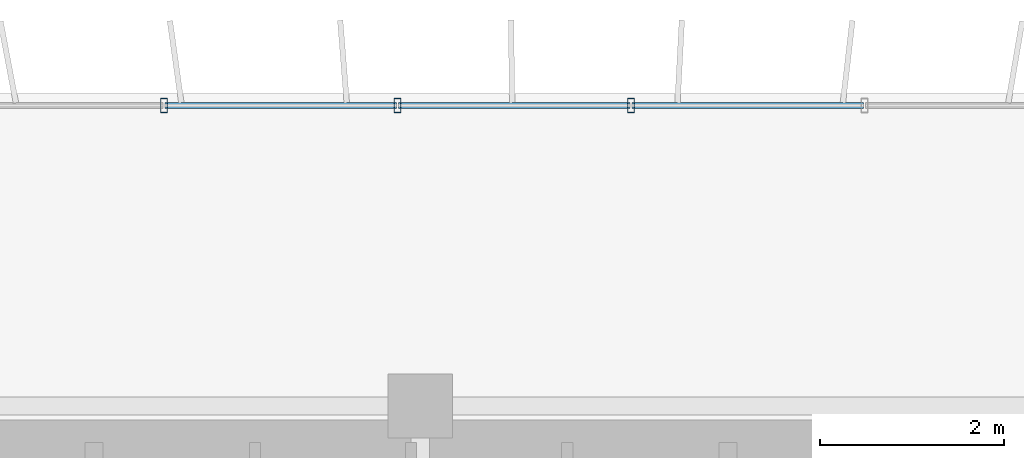
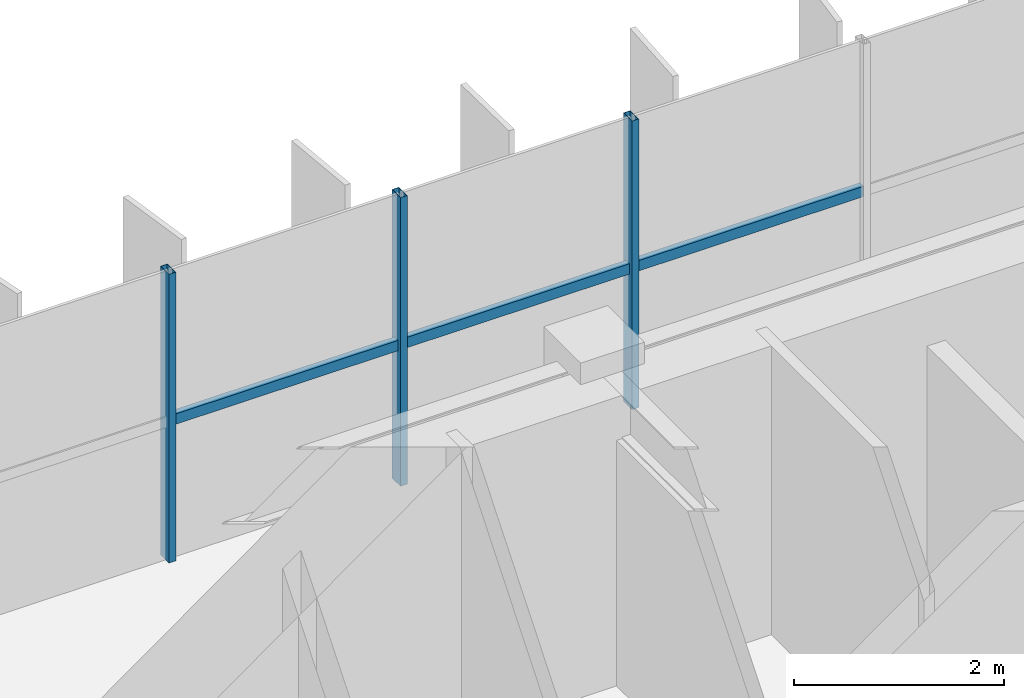
# One storey, part 9 of 21: 6 members, 1 element without a shape of its own.
"""IFC4 building model written with IfcOpenShell, lengths in metres."""

from ifc_helpers import new_model, si_unit, direction, frame, origin, origin_2d, place, context, subcontext, project, spatial, hollow_rectangle, extrude, source, transform, mapped, material, material_profile, profile_set, type_object, element, aggregate, save


model = new_model("IFC4")

# Units and contexts
model_context = context("Model", 3, precision=1e-05, world=origin(), true_north=direction((0.0, 1.0)))
body_context = subcontext(model_context, "Body", "Model", "MODEL_VIEW")
ifc_project = project(units=[si_unit("LENGTHUNIT", "METRE"), si_unit("AREAUNIT", "SQUARE_METRE"), si_unit("VOLUMEUNIT", "CUBIC_METRE"), si_unit("PLANEANGLEUNIT", "RADIAN"), si_unit("MASSUNIT", "GRAM", prefix="KILO")], contexts=[model_context])

# Site, building, storey
site_placement = place(None, origin())
site = spatial("IfcSite", under=ifc_project, at=site_placement, CompositionType="ELEMENT")
building_placement = place(site_placement, origin())
building = spatial("IfcBuilding", under=site, at=building_placement, Name="Trelvane Seafront Commons", CompositionType="ELEMENT")
storey_placement = place(building_placement, frame((0.0, 0.0, 160.89990234375)))
storey = spatial("IfcBuildingStorey", under=building, at=storey_placement, Name="L42", CompositionType="ELEMENT", Elevation=160.89990234375)

# Curtain wall, members
ifc_material = material(Name="Anodised pale-silver aluminium", Category="aluminium")
curtain_wall_type = type_object("IfcCurtainWallType", Name="ARCH-CW5-UPTOWER", PredefinedType="NOTDEFINED", material=ifc_material)
curtain_wall_placement = place(storey_placement, origin())
curtain_wall = element("IfcCurtainWall", 1, at=curtain_wall_placement, inside=storey, type_object=curtain_wall_type, Name="CW-L42-0069", PredefinedType="NOTDEFINED")
ifc_material_profile_1 = material_profile(ifc_material, hollow_rectangle(XDim=0.070068359375, YDim=0.1201171875, WallThickness=0.00390625, at=origin_2d()), Name="TRAN-70x120x4")
ifc_profile_set_1 = profile_set([ifc_material_profile_1], Name="Anodised pale-silver aluminium")
member_type_1 = type_object("IfcMemberType", Name="ARCH-CW-TRAN-120", PredefinedType="USERDEFINED", material=ifc_profile_set_1)
shared_shape_1 = source(origin(), body_context, "Body", "SweptSolid", [
    extrude(hollow_rectangle(XDim=0.070068359375, YDim=0.1201171875, WallThickness=0.00390625, at=origin_2d()), origin(), (0.0, 0.0, 1.0), 2.51708984375),
])
member_1_placement = place(storey_placement, frame((43.56494140625, 48.3701171875, 1.608154296875), z_axis=(1.0, 0.0, 0.0), x_axis=(0.0, 1.0, 0.0)))
member_1 = element("IfcMember", 2, at=member_1_placement, type_object=member_type_1, Name="CW-L42-0069-T11", ObjectType="TRANSOM", PredefinedType="USERDEFINED", context=body_context, shape_type="MappedRepresentation", body=[
    mapped(shared_shape_1, transform((0.0, 0.0, 0.0), x_axis=(1.0, 0.0, 0.0), y_axis=(0.0, 1.0, 0.0), z_axis=(0.0, 0.0, 1.0), scale=1.0)),
])
member_2_placement = place(storey_placement, frame((46.106201171875, 48.3701171875, 1.608154296875), z_axis=(1.0, 0.0, 0.0), x_axis=(0.0, 1.0, 0.0)))
member_2 = element("IfcMember", 3, at=member_2_placement, type_object=member_type_1, Name="CW-L42-0069-T12", ObjectType="TRANSOM", PredefinedType="USERDEFINED", context=body_context, shape_type="MappedRepresentation", body=[
    mapped(shared_shape_1, transform((0.0, 0.0, 0.0), x_axis=(1.0, 0.0, 0.0), y_axis=(0.0, 1.0, 0.0), z_axis=(0.0, 0.0, 1.0), scale=1.0)),
])
shared_shape_2 = source(origin(), body_context, "Body", "SweptSolid", [
    extrude(hollow_rectangle(XDim=0.070068359375, YDim=0.1201171875, WallThickness=0.00390625, at=origin_2d()), origin(), (0.0, 0.0, 1.0), 2.517333984375),
])
member_3_placement = place(storey_placement, frame((41.023681640625, 48.3701171875, 1.608154296875), z_axis=(1.0, 0.0, 0.0), x_axis=(0.0, 1.0, 0.0)))
member_3 = element("IfcMember", 4, at=member_3_placement, type_object=member_type_1, Name="CW-L42-0069-T10", ObjectType="TRANSOM", PredefinedType="USERDEFINED", context=body_context, shape_type="MappedRepresentation", body=[
    mapped(shared_shape_2, transform((0.0, 0.0, 0.0), x_axis=(1.0, 0.0, 0.0), y_axis=(0.0, 1.0, 0.0), z_axis=(0.0, 0.0, 1.0), scale=1.0)),
])
ifc_material_profile_2 = material_profile(ifc_material, hollow_rectangle(XDim=0.074951171875, YDim=0.159912109375, WallThickness=0.00390625, at=origin_2d()), Name="MULL-75x160x4")
ifc_profile_set_2 = profile_set([ifc_material_profile_2], Name="Anodised pale-silver aluminium")
member_type_2 = type_object("IfcMemberType", Name="ARCH-CW-MULL-160", PredefinedType="MULLION", material=ifc_profile_set_2)
shared_shape_3 = source(origin(), body_context, "Body", "SweptSolid", [
    extrude(hollow_rectangle(XDim=0.074951171875, YDim=0.159912109375, WallThickness=0.00390625, at=origin_2d()), origin(), (0.0, 0.0, 1.0), 3.35009765625),
])
member_4_placement = place(storey_placement, frame((41.01171875, 48.3701171875, 0.0), z_axis=(0.0, 0.0, 1.0), x_axis=(1.0, 0.0, 0.0)))
member_4 = element("IfcMember", 5, at=member_4_placement, type_object=member_type_2, Name="CW-L42-0069-M10", PredefinedType="MULLION", context=body_context, shape_type="MappedRepresentation", body=[
    mapped(shared_shape_3, transform((0.0, 0.0, 0.0), x_axis=(1.0, 0.0, 0.0), y_axis=(0.0, 1.0, 0.0), z_axis=(0.0, 0.0, 1.0), scale=1.0)),
])
member_5_placement = place(storey_placement, frame((43.552978515625, 48.3701171875, 0.0), z_axis=(0.0, 0.0, 1.0), x_axis=(1.0, 0.0, 0.0)))
member_5 = element("IfcMember", 6, at=member_5_placement, type_object=member_type_2, Name="CW-L42-0069-M11", PredefinedType="MULLION", context=body_context, shape_type="MappedRepresentation", body=[
    mapped(shared_shape_3, transform((0.0, 0.0, 0.0), x_axis=(1.0, 0.0, 0.0), y_axis=(0.0, 1.0, 0.0), z_axis=(0.0, 0.0, 1.0), scale=1.0)),
])
member_6_placement = place(storey_placement, frame((46.093994140625, 48.3701171875, 0.0), z_axis=(0.0, 0.0, 1.0), x_axis=(1.0, 0.0, 0.0)))
member_6 = element("IfcMember", 7, at=member_6_placement, type_object=member_type_2, Name="CW-L42-0069-M12", PredefinedType="MULLION", context=body_context, shape_type="MappedRepresentation", body=[
    mapped(shared_shape_3, transform((0.0, 0.0, 0.0), x_axis=(1.0, 0.0, 0.0), y_axis=(0.0, 1.0, 0.0), z_axis=(0.0, 0.0, 1.0), scale=1.0)),
])
aggregate(curtain_wall, [member_4, member_5, member_6, member_3, member_1, member_2])

save(model, "model.ifc")
